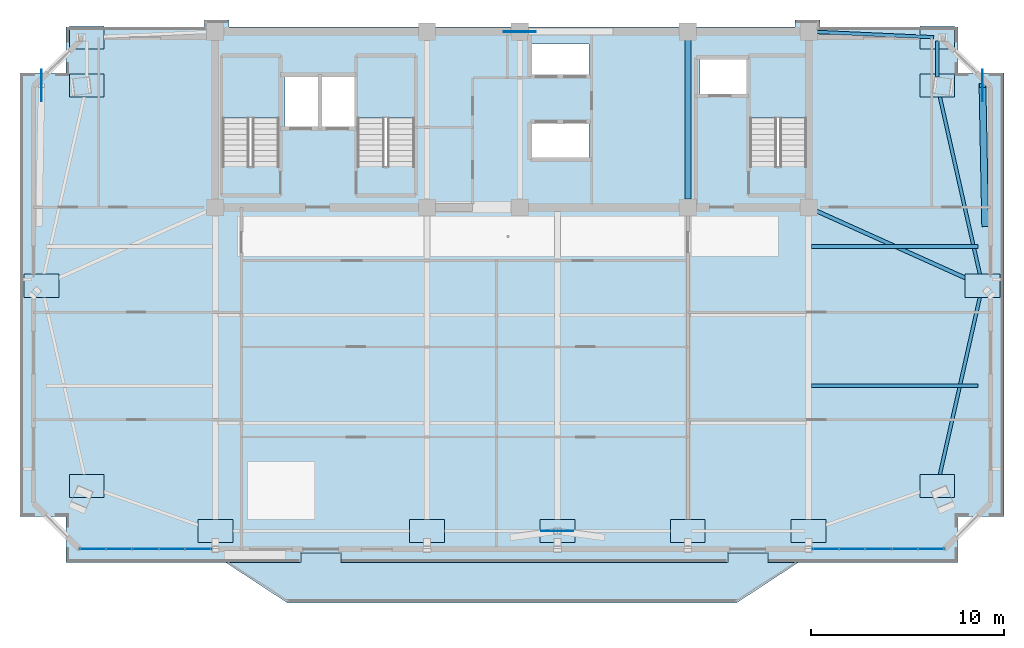
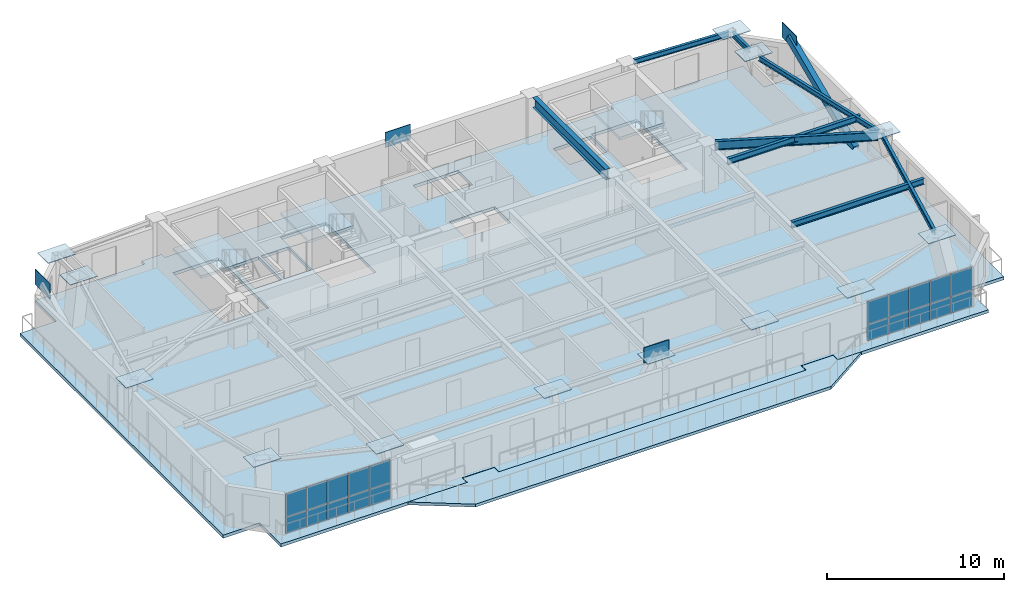
# One storey, part 5 of 14: 37 plates, 8 beams, 5 slabs, 1 member, 5 elements without a shape of their own.
"""IFC4 building model written with IfcOpenShell, lengths in metres."""

from ifc_helpers import new_model, si_unit, direction, frame, origin, origin_2d, place, context, subcontext, project, spatial, polyline, rectangle, hollow_rectangle, i_section, outline, extrude, source, transform, mapped, material, layer, layer_set, material_profile, profile_set, type_object, element, aggregate, save


model = new_model("IFC4")

# Units and contexts
model_context = context("Model", 3, precision=1e-05, world=origin(), true_north=direction((0.0, 1.0)))
body_context = subcontext(model_context, "Body", "Model", "MODEL_VIEW")
ifc_project = project(units=[si_unit("LENGTHUNIT", "METRE"), si_unit("AREAUNIT", "SQUARE_METRE"), si_unit("VOLUMEUNIT", "CUBIC_METRE"), si_unit("PLANEANGLEUNIT", "RADIAN"), si_unit("MASSUNIT", "GRAM", prefix="KILO")], contexts=[model_context])

# Site, building, storey
site_placement = place(None, origin())
site = spatial("IfcSite", under=ifc_project, at=site_placement, CompositionType="ELEMENT")
building_placement = place(site_placement, origin())
building = spatial("IfcBuilding", under=site, at=building_placement, Name="Giltprow Tower", CompositionType="ELEMENT")
storey_placement = place(building_placement, frame((0.0, 0.0, 310.800048828125)))
storey = spatial("IfcBuildingStorey", under=building, at=storey_placement, Name="L80", CompositionType="ELEMENT", Elevation=310.800048828125)

# Beams
ifc_material_1 = material(Name="Structural steel Q355B", Category="steel")
ifc_material_profile_1 = material_profile(ifc_material_1, i_section(OverallWidth=0.300048828125, OverallDepth=0.699951171875, WebThickness=0.012939453125, FlangeThickness=0.02392578125, at=origin_2d()), Name="HN 700x300x13x24")
ifc_profile_set_1 = profile_set([ifc_material_profile_1], Name="Structural steel Q355B")
beam_type_1 = type_object("IfcBeamType", Name="BM-GIRD-HN700", PredefinedType="BEAM", material=ifc_profile_set_1)
shared_shape_1 = source(origin(), body_context, "Body", "SweptSolid", [
    extrude(i_section(OverallWidth=0.300048828125, OverallDepth=0.699951171875, WebThickness=0.012939453125, FlangeThickness=0.02392578125, at=origin_2d()), origin(), (0.0, 0.0, 1.0), 8.22998046875),
])
beam_1_placement = place(storey_placement, frame((44.300048828125, 37.885009765625, 2.8349609375), z_axis=(0.0, 1.0, 0.0), x_axis=(-1.0, 0.0, 0.0)))
element("IfcBeam", 1, at=beam_1_placement, inside=storey, type_object=beam_type_1, Name="L80 Core Tie Girder M3", PredefinedType="BEAM", context=body_context, shape_type="MappedRepresentation", body=[
    mapped(shared_shape_1, transform((0.0, 0.0, 0.0), x_axis=(1.0, 0.0, 0.0), y_axis=(0.0, 1.0, 0.0), z_axis=(0.0, 0.0, 1.0), scale=1.0)),
])
ifc_material_profile_2 = material_profile(ifc_material_1, i_section(OverallWidth=0.175048828125, OverallDepth=0.35009765625, WebThickness=0.007080078125, FlangeThickness=0.010986328125, at=origin_2d()), Name="HN 350x175x7x11")
ifc_profile_set_2 = profile_set([ifc_material_profile_2], Name="Structural steel Q355B")
beam_type_2 = type_object("IfcBeamType", Name="BM-SPAN-HN350", PredefinedType="SPANDREL", material=ifc_profile_set_2)
shared_shape_2 = source(origin(), body_context, "Body", "SweptSolid", [
    extrude(i_section(OverallWidth=0.175048828125, OverallDepth=0.35009765625, WebThickness=0.007080078125, FlangeThickness=0.010986328125, at=origin_2d()), origin(), (0.0, 0.0, 1.0), 10.0009765625),
])
for number, where, z_axis, x_axis, name in (
    (2, (57.303955078125, 23.466064453125, 3.010009765625), (0.22006980481, 0.975484126478, 0.0), (-0.975484126478, 0.22006980481, 0.0), "L80 Perimeter Spandrel Beam MC_SE-E_MID"),
    (3, (59.5048828125, 33.58203125, 3.010009765625), (-0.22006980481, 0.975484126478, 0.0), (-0.975484126478, -0.22006980481, 0.0), "L80 Perimeter Spandrel Beam E_MID-MC_NE"),
):
    element("IfcBeam", number, at=place(storey_placement, frame(where, z_axis=z_axis, x_axis=x_axis)), inside=storey, type_object=beam_type_2, Name=name, PredefinedType="SPANDREL", context=body_context, shape_type="MappedRepresentation", body=[
        mapped(shared_shape_2, transform((0.0, 0.0, 0.0), x_axis=(1.0, 0.0, 0.0), y_axis=(0.0, 1.0, 0.0), z_axis=(0.0, 0.0, 1.0), scale=1.0)),
    ])
shared_shape_3 = source(origin(), body_context, "Body", "SweptSolid", [
    extrude(i_section(OverallWidth=0.175048828125, OverallDepth=0.35009765625, WebThickness=0.007080078125, FlangeThickness=0.010986328125, at=origin_2d()), origin(), (0.0, 0.0, 1.0), 1.867919921875),
])
beam_2_placement = place(storey_placement, frame((57.2080078125, 44.197021484375, 3.010009765625), z_axis=(0.0, 1.0, 0.0), x_axis=(-1.0, 0.0, 0.0)))
element("IfcBeam", 4, at=beam_2_placement, inside=storey, type_object=beam_type_2, Name="L80 Perimeter Spandrel Beam MC_NE-N_E", PredefinedType="SPANDREL", context=body_context, shape_type="MappedRepresentation", body=[
    mapped(shared_shape_3, transform((0.0, 0.0, 0.0), x_axis=(1.0, 0.0, 0.0), y_axis=(0.0, 1.0, 0.0), z_axis=(0.0, 0.0, 1.0), scale=1.0)),
])
shared_shape_4 = source(origin(), body_context, "Body", "SweptSolid", [
    extrude(i_section(OverallWidth=0.175048828125, OverallDepth=0.35009765625, WebThickness=0.007080078125, FlangeThickness=0.010986328125, at=origin_2d()), origin(), (0.0, 0.0, 1.0), 6.0439453125),
])
beam_3_placement = place(storey_placement, frame((50.985107421875, 46.530029296875, 3.010009765625), z_axis=(0.998987029612, -0.044999051837, 0.0), x_axis=(0.044999051837, 0.998987029612, 0.0)))
element("IfcBeam", 5, at=beam_3_placement, inside=storey, type_object=beam_type_2, Name="L80 North Wing Spandrel E", PredefinedType="SPANDREL", context=body_context, shape_type="MappedRepresentation", body=[
    mapped(shared_shape_4, transform((0.0, 0.0, 0.0), x_axis=(1.0, 0.0, 0.0), y_axis=(0.0, 1.0, 0.0), z_axis=(0.0, 0.0, 1.0), scale=1.0)),
])
ifc_material_profile_3 = material_profile(ifc_material_1, i_section(OverallWidth=0.199951171875, OverallDepth=0.60009765625, WebThickness=0.010986328125, FlangeThickness=0.01708984375, at=origin_2d()), Name="HN 600x200x11x17")
ifc_profile_set_3 = profile_set([ifc_material_profile_3], Name="Structural steel Q355B")
beam_type_3 = type_object("IfcBeamType", Name="BM-GIRD-HN600", PredefinedType="BEAM", material=ifc_profile_set_3)
shared_shape_5 = source(origin(), body_context, "Body", "SweptSolid", [
    extrude(i_section(OverallWidth=0.199951171875, OverallDepth=0.60009765625, WebThickness=0.010986328125, FlangeThickness=0.01708984375, at=origin_2d()), origin(), (0.0, 0.0, 1.0), 9.243896484375),
])
beam_4_placement = place(storey_placement, frame((59.376953125, 33.47802734375, 2.885009765625), z_axis=(-0.911941765228, 0.410319652019, 0.0), x_axis=(-0.410319652019, -0.911941765228, 0.0)))
element("IfcBeam", 6, at=beam_4_placement, inside=storey, type_object=beam_type_3, Name="L80 East Wing Primary Girder", PredefinedType="BEAM", context=body_context, shape_type="MappedRepresentation", body=[
    mapped(shared_shape_5, transform((0.0, 0.0, 0.0), x_axis=(1.0, 0.0, 0.0), y_axis=(0.0, 1.0, 0.0), z_axis=(0.0, 0.0, 1.0), scale=1.0)),
])
ifc_material_profile_4 = material_profile(ifc_material_1, i_section(OverallWidth=0.199951171875, OverallDepth=0.39990234375, WebThickness=0.008056640625, FlangeThickness=0.012939453125, at=origin_2d()), Name="HN 400x200x8x13")
ifc_profile_set_4 = profile_set([ifc_material_profile_4], Name="Structural steel Q355B")
beam_type_4 = type_object("IfcBeamType", Name="BM-JOIST-HN400", PredefinedType="JOIST", material=ifc_profile_set_4)
shared_shape_6 = source(origin(), body_context, "Body", "SweptSolid", [
    extrude(i_section(OverallWidth=0.199951171875, OverallDepth=0.39990234375, WebThickness=0.008056640625, FlangeThickness=0.012939453125, at=origin_2d()), origin(), (0.0, 0.0, 1.0), 8.630859375),
])
for number, where, z_axis, x_axis, name in (
    (7, (50.695068359375, 28.221923828125, 2.98486328125), (1.0, 0.0, 0.0), (0.0, 1.0, 0.0), "L80 East Wing Floor Joist 1"),
    (8, (50.695068359375, 35.426025390625, 2.98486328125), (1.0, 0.0, 0.0), (0.0, 1.0, 0.0), "L80 East Wing Floor Joist 2"),
):
    element("IfcBeam", number, at=place(storey_placement, frame(where, z_axis=z_axis, x_axis=x_axis)), inside=storey, type_object=beam_type_4, Name=name, PredefinedType="JOIST", context=body_context, shape_type="MappedRepresentation", body=[
        mapped(shared_shape_6, transform((0.0, 0.0, 0.0), x_axis=(1.0, 0.0, 0.0), y_axis=(0.0, 1.0, 0.0), z_axis=(0.0, 0.0, 1.0), scale=1.0)),
    ])

# Member
ifc_material_2 = material(Name="Structural steel Q420GJC", Category="steel")
ifc_material_profile_5 = material_profile(ifc_material_2, hollow_rectangle(XDim=0.35009765625, YDim=0.5, WallThickness=0.02392578125, at=origin_2d()), Name="RHS 500x350x24")
ifc_profile_set_5 = profile_set([ifc_material_profile_5], Name="Structural steel Q420GJC")
member_type = type_object("IfcMemberType", Name="MBR-MEGA-RHS500", PredefinedType="BRACE", material=ifc_profile_set_5)
shared_shape_7 = source(origin(), body_context, "Body", "SweptSolid", [
    extrude(hollow_rectangle(XDim=0.35009765625, YDim=0.5, WallThickness=0.02392578125, at=origin_2d()), origin(), (0.0, 0.0, 1.0), 7.96533203125),
])
member_placement = place(storey_placement, frame((59.68408203125, 36.56005859375, 0.0), z_axis=(-0.017348217249, 0.904160884483, 0.426839705662), x_axis=(-0.999815978576, -0.019183560252, 0.0)))
element("IfcMember", 9, at=member_placement, inside=storey, type_object=member_type, Name="L80 Chevron Mega-Brace E-D", PredefinedType="BRACE", context=body_context, shape_type="MappedRepresentation", body=[
    mapped(shared_shape_7, transform((0.0, 0.0, 0.0), x_axis=(1.0, 0.0, 0.0), y_axis=(0.0, 1.0, 0.0), z_axis=(0.0, 0.0, 1.0), scale=1.0)),
])

# Slabs
ifc_material_3 = material(Name="Concrete C40", Category="concrete")
ifc_layer_1 = layer(ifc_material_3, 0.199951171875, Name="Concrete C40")
ifc_layer_set_1 = layer_set([ifc_layer_1], Name="Concrete C40")
slab_type_1 = type_object("IfcSlabType", Name="SLB-BALC-BRONZE-200", PredefinedType="FLOOR", material=ifc_layer_set_1)
slab_1_placement = place(storey_placement, frame((0.0, 0.0, -0.199951171875)))
element("IfcSlab", 10, at=slab_1_placement, inside=storey, type_object=slab_type_1, Name="L80 Bronze Prow Waterfront Balcony Slab", PredefinedType="FLOOR", context=body_context, shape_type="SweptSolid", body=[
    extrude(outline(polyline([(50.0, 19.072021484375), (46.800048828125, 16.971923828125), (23.60009765625, 16.971923828125), (20.39990234375, 19.072021484375), (24.280029296875, 19.072021484375), (24.280029296875, 19.572021484375), (26.320068359375, 19.572021484375), (26.320068359375, 19.072021484375), (46.3798828125, 19.072021484375), (46.3798828125, 19.572021484375), (48.419921875, 19.572021484375), (48.419921875, 19.072021484375), (50.0, 19.072021484375)])), origin(), (0.0, 0.0, 1.0), 0.199951171875),
])
ifc_layer_2 = layer(ifc_material_3, 0.215087890625, Name="Concrete C40")
ifc_layer_set_2 = layer_set([ifc_layer_2], Name="Concrete C40")
slab_type_2 = type_object("IfcSlabType", Name="SLB-RES-215", PredefinedType="FLOOR", material=ifc_layer_set_2)
slab_2_placement = place(storey_placement, frame((0.0, 0.0, -0.215087890625)))
element("IfcSlab", 11, at=slab_2_placement, inside=storey, type_object=slab_type_2, Name="L80 Structural Composite Floor Slab", PredefinedType="FLOOR", context=body_context, shape_type="SweptSolid", body=[
    extrude(outline(polyline([(60.659912109375, 44.4150390625), (60.659912109375, 21.45703125), (58.27587890625, 21.45703125), (58.27587890625, 19.072021484375), (48.449951171875, 19.072021484375), (48.449951171875, 19.592041015625), (46.35009765625, 19.592041015625), (46.35009765625, 19.072021484375), (26.35009765625, 19.072021484375), (26.35009765625, 19.592041015625), (24.25, 19.592041015625), (24.25, 19.072021484375), (12.125, 19.072021484375), (12.125, 21.45703125), (9.739990234375, 21.45703125), (9.739990234375, 44.4150390625), (12.125, 44.4150390625), (12.125, 46.800048828125), (19.25, 46.800048828125), (19.25, 47.14990234375), (20.550048828125, 47.14990234375), (20.550048828125, 46.800048828125), (49.85009765625, 46.800048828125), (49.85009765625, 47.14990234375), (51.14990234375, 47.14990234375), (51.14990234375, 46.800048828125), (58.27587890625, 46.800048828125), (58.27587890625, 44.4150390625), (60.659912109375, 44.4150390625)]), holes=[polyline([(39.18994140625, 41.800048828125), (36.239990234375, 41.800048828125), (36.239990234375, 40.0), (39.18994140625, 40.0), (39.18994140625, 41.800048828125)]), polyline([(23.159912109375, 39.570068359375), (23.159912109375, 45.25), (20.199951171875, 45.25), (20.199951171875, 39.570068359375), (23.159912109375, 39.570068359375)]), polyline([(30.159912109375, 39.570068359375), (30.159912109375, 45.25), (27.199951171875, 45.25), (27.199951171875, 39.570068359375), (30.159912109375, 39.570068359375)]), polyline([(50.4599609375, 45.25), (47.5, 45.25), (47.5, 39.570068359375), (50.4599609375, 39.570068359375), (50.4599609375, 45.25)]), polyline([(25.169921875, 44.199951171875), (23.449951171875, 44.199951171875), (23.449951171875, 41.60009765625), (25.169921875, 41.60009765625), (25.169921875, 44.199951171875)]), polyline([(27.10009765625, 44.199951171875), (25.35009765625, 44.199951171875), (25.35009765625, 41.60009765625), (27.10009765625, 41.60009765625), (27.10009765625, 44.199951171875)]), polyline([(47.3798828125, 43.300048828125), (47.3798828125, 45.10009765625), (44.919921875, 45.10009765625), (44.919921875, 43.300048828125), (47.3798828125, 43.300048828125)]), polyline([(39.18994140625, 44.300048828125), (39.18994140625, 45.919921875), (36.239990234375, 45.919921875), (36.239990234375, 44.300048828125), (39.18994140625, 44.300048828125)])]), origin(), (0.0, 0.0, 1.0), 0.215087890625),
])

# Stair, slab
stair_type_1 = type_object("IfcStairType", Name="STR-ST-1", PredefinedType="HALF_TURN_STAIR", material=ifc_material_3)
stair_1_placement = place(storey_placement, origin())
stair_1 = element("IfcStair", 12, at=stair_1_placement, inside=storey, type_object=stair_type_1, Name="L80 Core Exit Stair ST-1", PredefinedType="HALF_TURN_STAIR")
ifc_layer_3 = layer(ifc_material_3, 0.179931640625, Name="Concrete C40")
ifc_layer_set_3 = layer_set([ifc_layer_3], Name="Concrete C40")
slab_type_3 = type_object("IfcSlabType", Name="SLD-ST-1", PredefinedType="LANDING", material=ifc_layer_set_3)
slab_3_placement = place(storey_placement, frame((0.0, 0.0, 1.52001953125)))
slab_3 = element("IfcSlab", 13, at=slab_3_placement, type_object=slab_type_3, Name="ST-1 landing 1", PredefinedType="LANDING", context=body_context, shape_type="SweptSolid", body=[
    extrude(outline(polyline([(23.159912109375, 42.070068359375), (23.159912109375, 45.25), (20.199951171875, 45.25), (20.199951171875, 42.070068359375), (23.159912109375, 42.070068359375)])), origin(), (0.0, 0.0, 1.0), 0.179931640625),
])
aggregate(stair_1, [slab_3])

stair_type_2 = type_object("IfcStairType", Name="STR-ST-2", PredefinedType="HALF_TURN_STAIR", material=ifc_material_3)
stair_2_placement = place(storey_placement, origin())
stair_2 = element("IfcStair", 14, at=stair_2_placement, inside=storey, type_object=stair_type_2, Name="L80 Core Exit Stair ST-2", PredefinedType="HALF_TURN_STAIR")
ifc_layer_4 = layer(ifc_material_3, 0.18798828125, Name="Concrete C40")
ifc_layer_set_4 = layer_set([ifc_layer_4], Name="Concrete C40")
slab_type_4 = type_object("IfcSlabType", Name="SLD-ST-2", PredefinedType="LANDING", material=ifc_layer_set_4)
slab_4_placement = place(storey_placement, frame((0.0, 0.0, 1.511962890625)))
slab_4 = element("IfcSlab", 15, at=slab_4_placement, type_object=slab_type_4, Name="ST-2 landing 1", PredefinedType="LANDING", context=body_context, shape_type="SweptSolid", body=[
    extrude(outline(polyline([(30.159912109375, 42.070068359375), (30.159912109375, 45.25), (27.199951171875, 45.25), (27.199951171875, 42.070068359375), (30.159912109375, 42.070068359375)])), origin(), (0.0, 0.0, 1.0), 0.18798828125),
])
aggregate(stair_2, [slab_4])

stair_type_3 = type_object("IfcStairType", Name="STR-ST-3", PredefinedType="HALF_TURN_STAIR", material=ifc_material_3)
stair_3_placement = place(storey_placement, origin())
stair_3 = element("IfcStair", 16, at=stair_3_placement, inside=storey, type_object=stair_type_3, Name="L80 Core Exit Stair ST-3", PredefinedType="HALF_TURN_STAIR")
ifc_layer_5 = layer(ifc_material_3, 0.196044921875, Name="Concrete C40")
ifc_layer_set_5 = layer_set([ifc_layer_5], Name="Concrete C40")
slab_type_5 = type_object("IfcSlabType", Name="SLD-ST-3", PredefinedType="LANDING", material=ifc_layer_set_5)
slab_5_placement = place(storey_placement, frame((0.0, 0.0, 1.50390625)))
slab_5 = element("IfcSlab", 17, at=slab_5_placement, type_object=slab_type_5, Name="ST-3 landing 1", PredefinedType="LANDING", context=body_context, shape_type="SweptSolid", body=[
    extrude(outline(polyline([(50.4599609375, 42.070068359375), (50.4599609375, 45.25), (47.5, 45.25), (47.5, 42.070068359375), (50.4599609375, 42.070068359375)])), origin(), (0.0, 0.0, 1.0), 0.196044921875),
])
aggregate(stair_3, [slab_5])

# Plates
plate_type_1 = type_object("IfcPlateType", Name="PLT-NODE-CKN1", PredefinedType="USERDEFINED", material=ifc_material_2)
shared_shape_8 = source(origin(), body_context, "Body", "SweptSolid", [
    extrude(rectangle(XDim=1.800048828125, YDim=1.199951171875, at=origin_2d()), origin(), (0.0, 0.0, 1.0), 0.044921875),
])
for number, where, z_axis, x_axis, name in (
    (18, (13.193115234375, 23.0419921875, 3.142578125), (0.0, 0.0, 1.0), (1.0, 0.0, 0.0), "CKN1 Column Taper Splice Node L80-MC_SW"),
    (19, (57.2080078125, 23.0419921875, 3.142578125), (0.0, 0.0, 1.0), (1.0, 0.0, 0.0), "CKN1 Column Taper Splice Node L80-MC_SE"),
    (20, (13.193115234375, 43.761962890625, 3.142578125), (0.0, 0.0, 1.0), (1.0, 0.0, 0.0), "CKN1 Column Taper Splice Node L80-MC_NW"),
    (21, (57.2080078125, 43.761962890625, 3.142578125), (0.0, 0.0, 1.0), (1.0, 0.0, 0.0), "CKN1 Column Taper Splice Node L80-MC_NE"),
    (22, (19.85009765625, 20.7041015625, 3.142578125), (0.0, 0.0, 1.0), (1.0, 0.0, 0.0), "CKN1 Column Taper Splice Node L80-S1"),
    (23, (30.800048828125, 20.7041015625, 3.142578125), (0.0, 0.0, 1.0), (1.0, 0.0, 0.0), "CKN1 Column Taper Splice Node L80-S2"),
    (24, (37.550048828125, 20.7041015625, 3.142578125), (0.0, 0.0, 1.0), (1.0, 0.0, 0.0), "CKN1 Column Taper Splice Node L80-S_MID"),
    (25, (44.300048828125, 20.7041015625, 3.142578125), (0.0, 0.0, 1.0), (1.0, 0.0, 0.0), "CKN1 Column Taper Splice Node L80-S3"),
    (26, (50.550048828125, 20.7041015625, 3.142578125), (0.0, 0.0, 1.0), (1.0, 0.0, 0.0), "CKN1 Column Taper Splice Node L80-S4"),
    (27, (10.85498046875, 33.402099609375, 3.142578125), (0.0, 0.0, 1.0), (1.0, 0.0, 0.0), "CKN1 Column Taper Splice Node L80-W_MID"),
    (28, (59.5458984375, 33.402099609375, 3.142578125), (0.0, 0.0, 1.0), (1.0, 0.0, 0.0), "CKN1 Column Taper Splice Node L80-E_MID"),
    (29, (13.193115234375, 46.25, 3.142578125), (0.0, 0.0, 1.0), (1.0, 0.0, 0.0), "CKN1 Column Taper Splice Node L80-N_W"),
    (30, (57.2080078125, 46.25, 3.142578125), (0.0, 0.0, 1.0), (1.0, 0.0, 0.0), "CKN1 Column Taper Splice Node L80-N_E"),
):
    element("IfcPlate", number, at=place(storey_placement, frame(where, z_axis=z_axis, x_axis=x_axis)), inside=storey, type_object=plate_type_1, Name=name, ObjectType="SPLICE", PredefinedType="USERDEFINED", context=body_context, shape_type="MappedRepresentation", body=[
        mapped(shared_shape_8, transform((0.0, 0.0, 0.0), x_axis=(1.0, 0.0, 0.0), y_axis=(0.0, 1.0, 0.0), z_axis=(0.0, 0.0, 1.0), scale=1.0)),
    ])
plate_type_2 = type_object("IfcPlateType", Name="PLT-NODE-MBN2", PredefinedType="USERDEFINED", material=ifc_material_2)
shared_shape_9 = source(origin(), body_context, "Body", "SweptSolid", [
    extrude(rectangle(XDim=1.64990234375, YDim=0.044921875, at=origin_2d()), origin(), (0.0, 0.0, 1.0), 1.050048828125),
])
for number, where, z_axis, x_axis, name in (
    (31, (37.550048828125, 20.7041015625, 2.875), (0.0, 0.0, 1.0), (1.0, 0.0, 0.0), "Mega-Brace Node L80-S-LB"),
    (32, (35.60009765625, 46.550048828125, 2.73486328125), (0.0, 0.0, 1.0), (1.0, 0.0, 0.0), "Mega-Brace Node L80-N-LB"),
    (33, (10.85498046875, 43.761962890625, 2.875), (0.0, 0.0, 1.0), (0.0, 1.0, 0.0), "Mega-Brace Node L80-W-DB"),
    (34, (59.5458984375, 43.761962890625, 2.875), (0.0, 0.0, 1.0), (0.0, 1.0, 0.0), "Mega-Brace Node L80-E-DB"),
):
    element("IfcPlate", number, at=place(storey_placement, frame(where, z_axis=z_axis, x_axis=x_axis)), inside=storey, type_object=plate_type_2, Name=name, ObjectType="GUSSET", PredefinedType="USERDEFINED", context=body_context, shape_type="MappedRepresentation", body=[
        mapped(shared_shape_9, transform((0.0, 0.0, 0.0), x_axis=(1.0, 0.0, 0.0), y_axis=(0.0, 1.0, 0.0), z_axis=(0.0, 0.0, 1.0), scale=1.0)),
    ])

# Curtain wall, plates
ifc_material_4 = material(Name="Anodized bronze", Category="metal")
ifc_layer_6 = layer(ifc_material_4, 0.179931640625, Name="Anodized bronze")
ifc_layer_set_6 = layer_set([ifc_layer_6], Name="Anodized bronze")
curtain_wall_type = type_object("IfcCurtainWallType", Name="CW-RES-SKY", PredefinedType="NOTDEFINED", material=ifc_layer_set_6)
curtain_wall_1_placement = place(storey_placement, origin())
curtain_wall_1 = element("IfcCurtainWall", 35, at=curtain_wall_1_placement, inside=storey, type_object=curtain_wall_type, Name="L80 South Recessed Curtain Wall 1", PredefinedType="NOTDEFINED")
ifc_material_5 = material(Name="Insulated glass", Category="glass")
plate_type_3 = type_object("IfcPlateType", Name="CW-PANEL-IGU-28", PredefinedType="CURTAIN_PANEL", material=ifc_material_5)
shared_shape_10 = source(origin(), body_context, "Body", "SweptSolid", [
    extrude(rectangle(XDim=1.3349609375, YDim=0.028076171875, at=origin_2d()), origin(), (0.0, 0.0, 1.0), 1.114013671875),
])
plate_1_placement = place(storey_placement, frame((13.507080078125, 19.77197265625, 0.0537109375), z_axis=(0.0, 0.0, 1.0), x_axis=(1.0, 0.0, 0.0)))
plate_1 = element("IfcPlate", 36, at=plate_1_placement, type_object=plate_type_3, Name="L80 South Recessed Curtain Wall 1 Glazing Panel 1-1", PredefinedType="CURTAIN_PANEL", context=body_context, shape_type="MappedRepresentation", body=[
    mapped(shared_shape_10, transform((0.0, 0.0, 0.0), x_axis=(1.0, 0.0, 0.0), y_axis=(0.0, 1.0, 0.0), z_axis=(0.0, 0.0, 1.0), scale=1.0)),
])
plate_2_placement = place(storey_placement, frame((14.8720703125, 19.77197265625, 0.0537109375), z_axis=(0.0, 0.0, 1.0), x_axis=(1.0, 0.0, 0.0)))
plate_2 = element("IfcPlate", 37, at=plate_2_placement, type_object=plate_type_3, Name="L80 South Recessed Curtain Wall 1 Glazing Panel 2-1", PredefinedType="CURTAIN_PANEL", context=body_context, shape_type="MappedRepresentation", body=[
    mapped(shared_shape_10, transform((0.0, 0.0, 0.0), x_axis=(1.0, 0.0, 0.0), y_axis=(0.0, 1.0, 0.0), z_axis=(0.0, 0.0, 1.0), scale=1.0)),
])
plate_3_placement = place(storey_placement, frame((16.237060546875, 19.77197265625, 0.0537109375), z_axis=(0.0, 0.0, 1.0), x_axis=(1.0, 0.0, 0.0)))
plate_3 = element("IfcPlate", 38, at=plate_3_placement, type_object=plate_type_3, Name="L80 South Recessed Curtain Wall 1 Glazing Panel 3-1", PredefinedType="CURTAIN_PANEL", context=body_context, shape_type="MappedRepresentation", body=[
    mapped(shared_shape_10, transform((0.0, 0.0, 0.0), x_axis=(1.0, 0.0, 0.0), y_axis=(0.0, 1.0, 0.0), z_axis=(0.0, 0.0, 1.0), scale=1.0)),
])
plate_4_placement = place(storey_placement, frame((17.60205078125, 19.77197265625, 0.0537109375), z_axis=(0.0, 0.0, 1.0), x_axis=(1.0, 0.0, 0.0)))
plate_4 = element("IfcPlate", 39, at=plate_4_placement, type_object=plate_type_3, Name="L80 South Recessed Curtain Wall 1 Glazing Panel 4-1", PredefinedType="CURTAIN_PANEL", context=body_context, shape_type="MappedRepresentation", body=[
    mapped(shared_shape_10, transform((0.0, 0.0, 0.0), x_axis=(1.0, 0.0, 0.0), y_axis=(0.0, 1.0, 0.0), z_axis=(0.0, 0.0, 1.0), scale=1.0)),
])
plate_5_placement = place(storey_placement, frame((18.967041015625, 19.77197265625, 0.0537109375), z_axis=(0.0, 0.0, 1.0), x_axis=(1.0, 0.0, 0.0)))
plate_5 = element("IfcPlate", 40, at=plate_5_placement, type_object=plate_type_3, Name="L80 South Recessed Curtain Wall 1 Glazing Panel 5-1", PredefinedType="CURTAIN_PANEL", context=body_context, shape_type="MappedRepresentation", body=[
    mapped(shared_shape_10, transform((0.0, 0.0, 0.0), x_axis=(1.0, 0.0, 0.0), y_axis=(0.0, 1.0, 0.0), z_axis=(0.0, 0.0, 1.0), scale=1.0)),
])

curtain_wall_2_placement = place(storey_placement, origin())
curtain_wall_2 = element("IfcCurtainWall", 41, at=curtain_wall_2_placement, inside=storey, type_object=curtain_wall_type, Name="L80 South Recessed Curtain Wall 6", PredefinedType="NOTDEFINED")
plate_6_placement = place(storey_placement, frame((51.431884765625, 19.77197265625, 0.0537109375), z_axis=(0.0, 0.0, 1.0), x_axis=(1.0, 0.0, 0.0)))
plate_6 = element("IfcPlate", 42, at=plate_6_placement, type_object=plate_type_3, Name="L80 South Recessed Curtain Wall 6 Glazing Panel 1-1", PredefinedType="CURTAIN_PANEL", context=body_context, shape_type="MappedRepresentation", body=[
    mapped(shared_shape_10, transform((0.0, 0.0, 0.0), x_axis=(1.0, 0.0, 0.0), y_axis=(0.0, 1.0, 0.0), z_axis=(0.0, 0.0, 1.0), scale=1.0)),
])
plate_7_placement = place(storey_placement, frame((52.797119140625, 19.77197265625, 0.0537109375), z_axis=(0.0, 0.0, 1.0), x_axis=(1.0, 0.0, 0.0)))
plate_7 = element("IfcPlate", 43, at=plate_7_placement, type_object=plate_type_3, Name="L80 South Recessed Curtain Wall 6 Glazing Panel 2-1", PredefinedType="CURTAIN_PANEL", context=body_context, shape_type="MappedRepresentation", body=[
    mapped(shared_shape_10, transform((0.0, 0.0, 0.0), x_axis=(1.0, 0.0, 0.0), y_axis=(0.0, 1.0, 0.0), z_axis=(0.0, 0.0, 1.0), scale=1.0)),
])
plate_8_placement = place(storey_placement, frame((54.1630859375, 19.77197265625, 0.0537109375), z_axis=(0.0, 0.0, 1.0), x_axis=(1.0, 0.0, 0.0)))
plate_8 = element("IfcPlate", 44, at=plate_8_placement, type_object=plate_type_3, Name="L80 South Recessed Curtain Wall 6 Glazing Panel 3-1", PredefinedType="CURTAIN_PANEL", context=body_context, shape_type="MappedRepresentation", body=[
    mapped(shared_shape_10, transform((0.0, 0.0, 0.0), x_axis=(1.0, 0.0, 0.0), y_axis=(0.0, 1.0, 0.0), z_axis=(0.0, 0.0, 1.0), scale=1.0)),
])
plate_9_placement = place(storey_placement, frame((55.528076171875, 19.77197265625, 0.0537109375), z_axis=(0.0, 0.0, 1.0), x_axis=(1.0, 0.0, 0.0)))
plate_9 = element("IfcPlate", 45, at=plate_9_placement, type_object=plate_type_3, Name="L80 South Recessed Curtain Wall 6 Glazing Panel 4-1", PredefinedType="CURTAIN_PANEL", context=body_context, shape_type="MappedRepresentation", body=[
    mapped(shared_shape_10, transform((0.0, 0.0, 0.0), x_axis=(1.0, 0.0, 0.0), y_axis=(0.0, 1.0, 0.0), z_axis=(0.0, 0.0, 1.0), scale=1.0)),
])
plate_10_placement = place(storey_placement, frame((56.89306640625, 19.77197265625, 0.0537109375), z_axis=(0.0, 0.0, 1.0), x_axis=(1.0, 0.0, 0.0)))
plate_10 = element("IfcPlate", 46, at=plate_10_placement, type_object=plate_type_3, Name="L80 South Recessed Curtain Wall 6 Glazing Panel 5-1", PredefinedType="CURTAIN_PANEL", context=body_context, shape_type="MappedRepresentation", body=[
    mapped(shared_shape_10, transform((0.0, 0.0, 0.0), x_axis=(1.0, 0.0, 0.0), y_axis=(0.0, 1.0, 0.0), z_axis=(0.0, 0.0, 1.0), scale=1.0)),
])

# Plate
shared_shape_11 = source(origin(), body_context, "Body", "SweptSolid", [
    extrude(rectangle(XDim=1.3349609375, YDim=0.028076171875, at=origin_2d()), origin(), (0.0, 0.0, 1.0), 1.56494140625),
])
plate_11_placement = place(storey_placement, frame((13.507080078125, 19.77197265625, 1.196533203125), z_axis=(0.0, 0.0, 1.0), x_axis=(1.0, 0.0, 0.0)))
plate_11 = element("IfcPlate", 47, at=plate_11_placement, type_object=plate_type_3, Name="L80 South Recessed Curtain Wall 1 Glazing Panel 1-2", PredefinedType="CURTAIN_PANEL", context=body_context, shape_type="MappedRepresentation", body=[
    mapped(shared_shape_11, transform((0.0, 0.0, 0.0), x_axis=(1.0, 0.0, 0.0), y_axis=(0.0, 1.0, 0.0), z_axis=(0.0, 0.0, 1.0), scale=1.0)),
])

plate_12_placement = place(storey_placement, frame((14.8720703125, 19.77197265625, 1.196533203125), z_axis=(0.0, 0.0, 1.0), x_axis=(1.0, 0.0, 0.0)))
plate_12 = element("IfcPlate", 48, at=plate_12_placement, type_object=plate_type_3, Name="L80 South Recessed Curtain Wall 1 Glazing Panel 2-2", PredefinedType="CURTAIN_PANEL", context=body_context, shape_type="MappedRepresentation", body=[
    mapped(shared_shape_11, transform((0.0, 0.0, 0.0), x_axis=(1.0, 0.0, 0.0), y_axis=(0.0, 1.0, 0.0), z_axis=(0.0, 0.0, 1.0), scale=1.0)),
])

plate_13_placement = place(storey_placement, frame((16.237060546875, 19.77197265625, 1.196533203125), z_axis=(0.0, 0.0, 1.0), x_axis=(1.0, 0.0, 0.0)))
plate_13 = element("IfcPlate", 49, at=plate_13_placement, type_object=plate_type_3, Name="L80 South Recessed Curtain Wall 1 Glazing Panel 3-2", PredefinedType="CURTAIN_PANEL", context=body_context, shape_type="MappedRepresentation", body=[
    mapped(shared_shape_11, transform((0.0, 0.0, 0.0), x_axis=(1.0, 0.0, 0.0), y_axis=(0.0, 1.0, 0.0), z_axis=(0.0, 0.0, 1.0), scale=1.0)),
])

plate_14_placement = place(storey_placement, frame((17.60205078125, 19.77197265625, 1.196533203125), z_axis=(0.0, 0.0, 1.0), x_axis=(1.0, 0.0, 0.0)))
plate_14 = element("IfcPlate", 50, at=plate_14_placement, type_object=plate_type_3, Name="L80 South Recessed Curtain Wall 1 Glazing Panel 4-2", PredefinedType="CURTAIN_PANEL", context=body_context, shape_type="MappedRepresentation", body=[
    mapped(shared_shape_11, transform((0.0, 0.0, 0.0), x_axis=(1.0, 0.0, 0.0), y_axis=(0.0, 1.0, 0.0), z_axis=(0.0, 0.0, 1.0), scale=1.0)),
])

plate_15_placement = place(storey_placement, frame((18.967041015625, 19.77197265625, 1.196533203125), z_axis=(0.0, 0.0, 1.0), x_axis=(1.0, 0.0, 0.0)))
plate_15 = element("IfcPlate", 51, at=plate_15_placement, type_object=plate_type_3, Name="L80 South Recessed Curtain Wall 1 Glazing Panel 5-2", PredefinedType="CURTAIN_PANEL", context=body_context, shape_type="MappedRepresentation", body=[
    mapped(shared_shape_11, transform((0.0, 0.0, 0.0), x_axis=(1.0, 0.0, 0.0), y_axis=(0.0, 1.0, 0.0), z_axis=(0.0, 0.0, 1.0), scale=1.0)),
])

aggregate(curtain_wall_1, [plate_1, plate_11, plate_2, plate_12, plate_3, plate_13, plate_4, plate_14, plate_5, plate_15])

plate_16_placement = place(storey_placement, frame((51.431884765625, 19.77197265625, 1.196533203125), z_axis=(0.0, 0.0, 1.0), x_axis=(1.0, 0.0, 0.0)))
plate_16 = element("IfcPlate", 52, at=plate_16_placement, type_object=plate_type_3, Name="L80 South Recessed Curtain Wall 6 Glazing Panel 1-2", PredefinedType="CURTAIN_PANEL", context=body_context, shape_type="MappedRepresentation", body=[
    mapped(shared_shape_11, transform((0.0, 0.0, 0.0), x_axis=(1.0, 0.0, 0.0), y_axis=(0.0, 1.0, 0.0), z_axis=(0.0, 0.0, 1.0), scale=1.0)),
])

plate_17_placement = place(storey_placement, frame((52.797119140625, 19.77197265625, 1.196533203125), z_axis=(0.0, 0.0, 1.0), x_axis=(1.0, 0.0, 0.0)))
plate_17 = element("IfcPlate", 53, at=plate_17_placement, type_object=plate_type_3, Name="L80 South Recessed Curtain Wall 6 Glazing Panel 2-2", PredefinedType="CURTAIN_PANEL", context=body_context, shape_type="MappedRepresentation", body=[
    mapped(shared_shape_11, transform((0.0, 0.0, 0.0), x_axis=(1.0, 0.0, 0.0), y_axis=(0.0, 1.0, 0.0), z_axis=(0.0, 0.0, 1.0), scale=1.0)),
])

plate_18_placement = place(storey_placement, frame((54.1630859375, 19.77197265625, 1.196533203125), z_axis=(0.0, 0.0, 1.0), x_axis=(1.0, 0.0, 0.0)))
plate_18 = element("IfcPlate", 54, at=plate_18_placement, type_object=plate_type_3, Name="L80 South Recessed Curtain Wall 6 Glazing Panel 3-2", PredefinedType="CURTAIN_PANEL", context=body_context, shape_type="MappedRepresentation", body=[
    mapped(shared_shape_11, transform((0.0, 0.0, 0.0), x_axis=(1.0, 0.0, 0.0), y_axis=(0.0, 1.0, 0.0), z_axis=(0.0, 0.0, 1.0), scale=1.0)),
])

plate_19_placement = place(storey_placement, frame((55.528076171875, 19.77197265625, 1.196533203125), z_axis=(0.0, 0.0, 1.0), x_axis=(1.0, 0.0, 0.0)))
plate_19 = element("IfcPlate", 55, at=plate_19_placement, type_object=plate_type_3, Name="L80 South Recessed Curtain Wall 6 Glazing Panel 4-2", PredefinedType="CURTAIN_PANEL", context=body_context, shape_type="MappedRepresentation", body=[
    mapped(shared_shape_11, transform((0.0, 0.0, 0.0), x_axis=(1.0, 0.0, 0.0), y_axis=(0.0, 1.0, 0.0), z_axis=(0.0, 0.0, 1.0), scale=1.0)),
])

plate_20_placement = place(storey_placement, frame((56.89306640625, 19.77197265625, 1.196533203125), z_axis=(0.0, 0.0, 1.0), x_axis=(1.0, 0.0, 0.0)))
plate_20 = element("IfcPlate", 56, at=plate_20_placement, type_object=plate_type_3, Name="L80 South Recessed Curtain Wall 6 Glazing Panel 5-2", PredefinedType="CURTAIN_PANEL", context=body_context, shape_type="MappedRepresentation", body=[
    mapped(shared_shape_11, transform((0.0, 0.0, 0.0), x_axis=(1.0, 0.0, 0.0), y_axis=(0.0, 1.0, 0.0), z_axis=(0.0, 0.0, 1.0), scale=1.0)),
])

aggregate(curtain_wall_2, [plate_6, plate_16, plate_7, plate_17, plate_8, plate_18, plate_9, plate_19, plate_10, plate_20])

save(model, "model.ifc")
